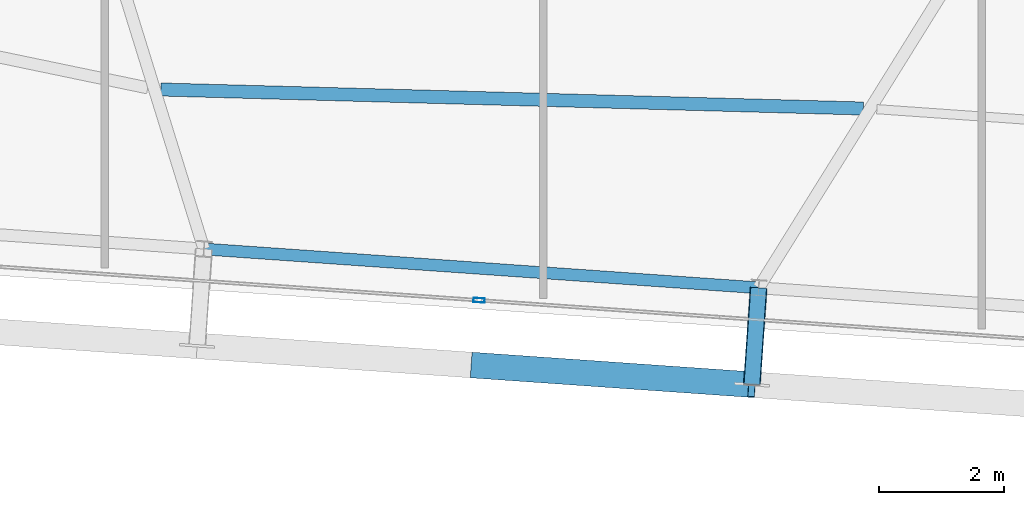
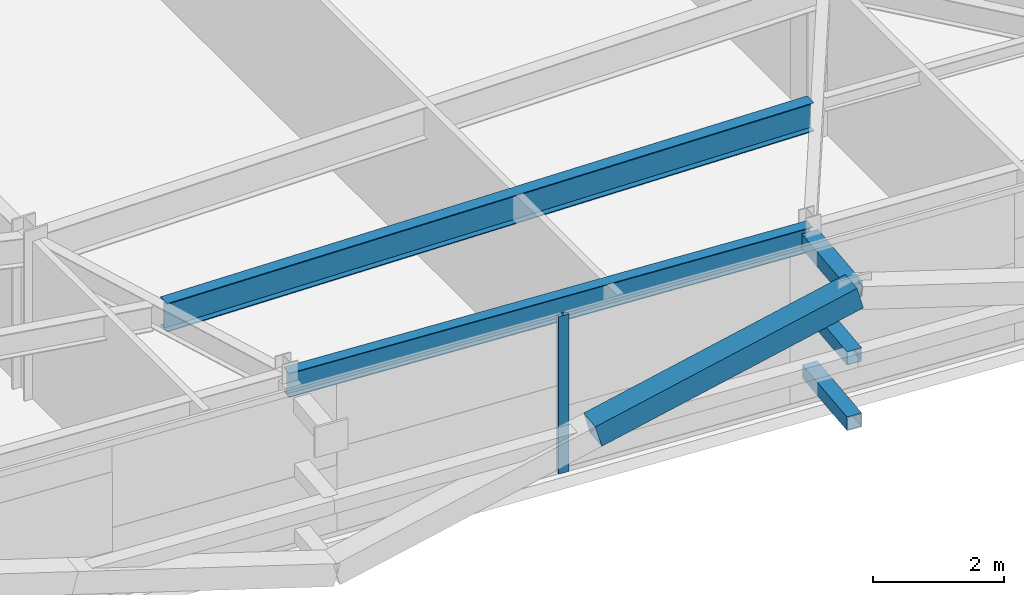
# One storey, part 9 of 39: 5 members, 2 beams, 1 element without a shape of its own.
"""IFC4 building model written with IfcOpenShell, lengths in metres."""

import ifcopenshell
import ifcopenshell.guid

model = None  # the IFC model being written
_history = None  # IfcOwnerHistory: only IFC2X3 demands one
_inside = {}  # id of a spatial element -> (the spatial element, [elements in it])
_under = {}  # id of a project, library or spatial element -> (it, [spatial elements below it])
_declared = {}  # id of a project -> (the project, [libraries it declares])
_typed = {}  # id of a type object -> (the type object, [elements of that type])
_made_of = {}  # id of a material, layer set ... -> (it, [elements and type objects made of it])


def new_model(schema):
    """Start an empty IFC model of exactly this schema.

    Asked for "IFC4X3", IfcOpenShell would pick the latest addendum, in which some entities
    have other attributes; the version numbers below select the first issue.
    IFC2X3 requires an IfcOwnerHistory on every rooted entity: one is made here for all.
    """
    global model, _history
    if schema == "IFC4X3":
        model = ifcopenshell.file(schema_version=(4, 3, 0, 0))
    else:
        model = ifcopenshell.file(schema=schema)
    _inside.clear()
    _under.clear()
    _declared.clear()
    _typed.clear()
    _made_of.clear()
    _history = None
    if model.schema == "IFC2X3":
        org = make("IfcOrganization", Name="unknown")
        user = make(
            "IfcPersonAndOrganization",
            ThePerson=make("IfcPerson", FamilyName="unknown"),
            TheOrganization=org,
        )
        app = make(
            "IfcApplication",
            ApplicationDeveloper=org,
            Version="unknown",
            ApplicationFullName="unknown",
            ApplicationIdentifier="unknown",
        )
        _history = make(
            "IfcOwnerHistory",
            OwningUser=user,
            OwningApplication=app,
            ChangeAction="ADDED",
            CreationDate=0,
        )
    return model


def make(cls, **values):
    """One entity of the class cls with the attributes given. An attribute that is None is left unset."""
    return model.create_entity(
        cls, **{name: value for name, value in values.items() if value is not None}
    )


def rooted(cls, **values):
    """An entity with a GlobalId (a new one), such as an element, a storey or a relation."""
    return make(cls, GlobalId=ifcopenshell.guid.new(), OwnerHistory=_history, **values)


def si_unit(unit_type, name, prefix=None):
    """IfcSIUnit, for example si_unit("LENGTHUNIT", "METRE", prefix="MILLI")."""
    return make("IfcSIUnit", UnitType=unit_type, Prefix=prefix, Name=name)


def assignment(units):
    """IfcUnitAssignment: the units of a project."""
    return None if units is None else make("IfcUnitAssignment", Units=units)


def point(xyz):
    """IfcCartesianPoint."""
    return None if xyz is None else make("IfcCartesianPoint", Coordinates=xyz)


def direction(xyz):
    """IfcDirection."""
    return None if xyz is None else make("IfcDirection", DirectionRatios=xyz)


def frame(location, z_axis=None, x_axis=None):
    """IfcAxis2Placement3D, a coordinate frame: its origin and axes. An axis left out is left unset."""
    return make(
        "IfcAxis2Placement3D",
        Location=point(location),
        Axis=direction(z_axis),
        RefDirection=direction(x_axis),
    )


def frame_2d(location, x_axis=None):
    """IfcAxis2Placement2D, a coordinate frame in the plane: its origin and x axis."""
    return make(
        "IfcAxis2Placement2D", Location=point(location), RefDirection=direction(x_axis)
    )


def origin():
    """The frame at (0, 0, 0) with its axes left unset."""
    return frame((0.0, 0.0, 0.0))


def origin_2d():
    """The frame at (0, 0) in the plane with its x axis left unset."""
    return frame_2d((0.0, 0.0))


def place(relative_to, where):
    """IfcLocalPlacement: puts the frame where relative to a parent placement (None: the world)."""
    return make(
        "IfcLocalPlacement", PlacementRelTo=relative_to, RelativePlacement=where
    )


def context(
    kind, dimensions, precision=None, world=None, true_north=None, identifier=None
):
    """IfcGeometricRepresentationContext, for example the 3D "Model" context."""
    return make(
        "IfcGeometricRepresentationContext",
        ContextIdentifier=identifier,
        ContextType=kind,
        CoordinateSpaceDimension=dimensions,
        Precision=precision,
        WorldCoordinateSystem=world,
        TrueNorth=true_north,
    )


def subcontext(parent, identifier, kind, view, scale=None):
    """IfcGeometricRepresentationSubContext, for example "Body" below "Model"."""
    return make(
        "IfcGeometricRepresentationSubContext",
        ContextIdentifier=identifier,
        ContextType=kind,
        ParentContext=parent,
        TargetScale=scale,
        TargetView=view,
    )


def project(units=None, contexts=None):
    """IfcProject with its units and contexts."""
    return rooted(
        "IfcProject",
        Name="project",
        RepresentationContexts=contexts,
        UnitsInContext=assignment(units),
    )


def spatial(cls, under=None, at=None, **own):
    """A site, building, storey or space (cls), placed at a placement, below another one or the project."""
    s = rooted(cls, ObjectPlacement=at, **own)
    if under is not None:
        _under.setdefault(under.id(), (under, []))[1].append(s)
    return s


def profile(cls, at=None, kind="AREA", **sizes):
    """A parametric profile (cls). Its sizes go by their IFC names, for example OverallWidth=200.0."""
    return make(cls, ProfileType=kind, Position=at, **sizes)


def hollow_rectangle(**sizes):
    """IfcRectangleHollowProfileDef."""
    return profile("IfcRectangleHollowProfileDef", **sizes)


def i_section(**sizes):
    """IfcIShapeProfileDef."""
    return profile("IfcIShapeProfileDef", **sizes)


def extrude(swept, where, along, depth):
    """IfcExtrudedAreaSolid: the profile swept, set in the frame where, extruded along a direction by depth."""
    return make(
        "IfcExtrudedAreaSolid",
        SweptArea=swept,
        Position=where,
        ExtrudedDirection=direction(along),
        Depth=depth,
    )


def shape(context_of_items, identifier, shape_type, items):
    """IfcShapeRepresentation: the items that make up one representation, for example the "Body"."""
    return make(
        "IfcShapeRepresentation",
        ContextOfItems=context_of_items,
        RepresentationIdentifier=identifier,
        RepresentationType=shape_type,
        Items=items,
    )


def source(mapping_origin, context_of_items, identifier, shape_type, items):
    """IfcRepresentationMap: a shape defined once, which mapped items show again and again."""
    return make(
        "IfcRepresentationMap",
        MappingOrigin=mapping_origin,
        MappedRepresentation=shape(context_of_items, identifier, shape_type, items),
    )


def transform(
    local_origin,
    x_axis=None,
    y_axis=None,
    z_axis=None,
    scale=None,
    scale2=None,
    scale3=None,
    uniform=True,
):
    """IfcCartesianTransformationOperator3D, or its non-uniform kind. x_axis, y_axis, z_axis: its Axis1, 2, 3."""
    if uniform:
        return make(
            "IfcCartesianTransformationOperator3D",
            Axis1=direction(x_axis),
            Axis2=direction(y_axis),
            LocalOrigin=point(local_origin),
            Scale=scale,
            Axis3=direction(z_axis),
        )
    return make(
        "IfcCartesianTransformationOperator3DnonUniform",
        Axis1=direction(x_axis),
        Axis2=direction(y_axis),
        LocalOrigin=point(local_origin),
        Scale=scale,
        Axis3=direction(z_axis),
        Scale2=scale2,
        Scale3=scale3,
    )


def mapped(mapping_source, mapping_target):
    """IfcMappedItem: shows the shape of a source again, moved by a transform."""
    return make(
        "IfcMappedItem", MappingSource=mapping_source, MappingTarget=mapping_target
    )


def material(Name=None, Category=None):
    """IfcMaterial."""
    return make("IfcMaterial", Name=Name, Category=Category)


def layer(
    of_material, thickness, ventilated=None, Name=None, Category=None, Priority=None
):
    """IfcMaterialLayer: one layer of a wall or slab, of a material (None: an air gap)."""
    return make(
        "IfcMaterialLayer",
        Material=of_material,
        LayerThickness=thickness,
        IsVentilated=ventilated,
        Name=Name,
        Category=Category,
        Priority=Priority,
    )


def layer_set(layers, Name=None):
    """IfcMaterialLayerSet."""
    return make("IfcMaterialLayerSet", MaterialLayers=layers, LayerSetName=Name)


def material_profile(
    of_material, cross_section, Name=None, Category=None, Priority=None
):
    """IfcMaterialProfile: a cross section and its material."""
    return make(
        "IfcMaterialProfile",
        Name=Name,
        Material=of_material,
        Profile=cross_section,
        Priority=Priority,
        Category=Category,
    )


def profile_set(profiles, Name=None, composite=None):
    """IfcMaterialProfileSet."""
    return make(
        "IfcMaterialProfileSet",
        Name=Name,
        MaterialProfiles=profiles,
        CompositeProfile=composite,
    )


def made_of(thing, what):
    """Note that an element or type object is made of a material, layer set ...; save() writes the relation."""
    if what is not None:
        _made_of.setdefault(what.id(), (what, []))[1].append(thing)
    return thing


def type_object(cls, material=None, **own):
    """A type object (cls), such as IfcWallType, which elements share."""
    return made_of(rooted(cls, **own), material)


def element(
    cls,
    number,
    at=None,
    inside=None,
    cuts=None,
    type_object=None,
    material=None,
    context=None,
    identifier="Body",
    shape_type=None,
    held_by="IfcProductDefinitionShape",
    body=None,
    shapes=None,
    **own,
):
    """One element of the class cls, such as IfcWall. Its Tag is "e" and its number.

    at: its placement. inside: the storey or other place that contains it. cuts: it is an
    opening in that element (IfcRelVoidsElement). A single representation is given by context,
    identifier, shape_type and body (its items); several are given by shapes. held_by: the class
    of the entity that holds the representations. save() writes the other relations.
    """
    e = rooted(cls, Tag="e%d" % number, ObjectPlacement=at, **own)
    if body is not None:
        shapes = [shape(context, identifier, shape_type, body)]
    if shapes is not None:
        e.Representation = make(held_by, Representations=shapes)
    if inside is not None:
        _inside.setdefault(inside.id(), (inside, []))[1].append(e)
    if cuts is not None:
        rooted(
            "IfcRelVoidsElement", RelatingBuildingElement=cuts, RelatedOpeningElement=e
        )
    if type_object is not None:
        _typed.setdefault(type_object.id(), (type_object, []))[1].append(e)
    return made_of(e, material)


def aggregate(whole, parts):
    """IfcRelAggregates: a whole, such as a stair, and the parts it consists of."""
    return rooted("IfcRelAggregates", RelatingObject=whole, RelatedObjects=parts)


def save(model, path):
    """Write the relations noted so far, then the file.

    IfcRelAggregates (storeys below a building ...), IfcRelContainedInSpatialStructure (elements
    in a storey), IfcRelDefinesByType, IfcRelAssociatesMaterial and IfcRelDeclares: one each for
    every whole, place, type object, material and project.
    """
    for whole, parts in _under.values():
        aggregate(whole, parts)
    for where, things in _inside.values():
        rooted(
            "IfcRelContainedInSpatialStructure",
            RelatedElements=things,
            RelatingStructure=where,
        )
    for kind, things in _typed.values():
        rooted("IfcRelDefinesByType", RelatedObjects=things, RelatingType=kind)
    for what, things in _made_of.values():
        rooted("IfcRelAssociatesMaterial", RelatedObjects=things, RelatingMaterial=what)
    for by, libraries in _declared.values():
        rooted("IfcRelDeclares", RelatingContext=by, RelatedDefinitions=libraries)
    model.write(path)


model = new_model("IFC4")

# Units and contexts
model_context = context("Model", 3, precision=1e-05, world=origin(), true_north=direction((0.0, 1.0)))
body_context = subcontext(model_context, "Body", "Model", "MODEL_VIEW")
ifc_project = project(units=[si_unit("LENGTHUNIT", "METRE"), si_unit("AREAUNIT", "SQUARE_METRE"), si_unit("VOLUMEUNIT", "CUBIC_METRE"), si_unit("PLANEANGLEUNIT", "RADIAN"), si_unit("MASSUNIT", "GRAM", prefix="KILO")], contexts=[model_context])

# Site, building, storey
site_placement = place(None, origin())
site = spatial("IfcSite", under=ifc_project, at=site_placement, CompositionType="ELEMENT")
building_placement = place(site_placement, origin())
building = spatial("IfcBuilding", under=site, at=building_placement, Name="Taldren Reach Tower", CompositionType="ELEMENT")
storey_placement = place(building_placement, frame((0.0, 0.0, 151.89990234375)))
storey = spatial("IfcBuildingStorey", under=building, at=storey_placement, Name="L46", CompositionType="ELEMENT", Elevation=151.89990234375)

# Members
ifc_material_1 = material(Name="Steel Gr 450 (C450L0)", Category="steel")
ifc_material_profile_1 = material_profile(ifc_material_1, hollow_rectangle(XDim=0.27490234375, YDim=0.27490234375, WallThickness=0.00927734375, at=origin_2d()), Name="275x275x9.3SHS")
ifc_profile_set_1 = profile_set([ifc_material_profile_1], Name="Steel Gr 450 (C450L0)")
member_type_1 = type_object("IfcMemberType", Name="MB-TIE273", PredefinedType="STRUT", material=ifc_profile_set_1)
shared_shape_1 = source(origin(), body_context, "Body", "SweptSolid", [
    extrude(hollow_rectangle(XDim=0.27490234375, YDim=0.27490234375, WallThickness=0.00927734375, at=origin_2d()), origin(), (0.0, 0.0, 1.0), 1.550048828125),
])
member_1_placement = place(storey_placement, frame((38.438720703125, 3.480224609375, 2.650146484375), z_axis=(-0.06976957191, -0.99756313426, 0.0), x_axis=(0.99756313426, -0.06976957191, 0.0)))
element("IfcMember", 1, at=member_1_placement, inside=storey, type_object=member_type_1, Name="Exoskeleton diaphragm tie strut B3-S4 L46", PredefinedType="STRUT", context=body_context, shape_type="MappedRepresentation", body=[
    mapped(shared_shape_1, transform((0.0, 0.0, 0.0), scale=1.0)),
])
ifc_material_2 = material(Name="Steel Gr 350 (C350L0)", Category="steel")
ifc_material_profile_2 = material_profile(ifc_material_2, hollow_rectangle(XDim=0.25, YDim=0.25, WallThickness=0.010009765625, at=origin_2d()), Name="250x250x10.0SHS")
ifc_profile_set_2 = profile_set([ifc_material_profile_2], Name="Steel Gr 350 (C350L0)")
member_type_2 = type_object("IfcMemberType", Name="MB-POST250", PredefinedType="POST", material=ifc_profile_set_2)
shared_shape_2 = source(origin(), body_context, "Body", "SweptSolid", [
    extrude(hollow_rectangle(XDim=0.25, YDim=0.25, WallThickness=0.010009765625, at=origin_2d()), origin(), (0.0, 0.0, 1.0), 1.550048828125),
])
for number, where, z_axis, x_axis, name in (
    (2, (38.438720703125, 3.480224609375, 0.22021484375), (-0.06976957191, -0.99756313426, 0.0), (0.99756313426, -0.06976957191, 0.0), "Exoskeleton base diaphragm tie strut B3-S4 L46"),
    (3, (38.438720703125, 3.480224609375, 1.43505859375), (-0.06976957191, -0.99756313426, 0.0), (0.99756313426, -0.06976957191, 0.0), "Exoskeleton mid-tier diaphragm tie B3-S4 L46"),
):
    element("IfcMember", number, at=place(storey_placement, frame(where, z_axis=z_axis, x_axis=x_axis)), inside=storey, type_object=member_type_2, Name=name, PredefinedType="POST", context=body_context, shape_type="MappedRepresentation", body=[
        mapped(shared_shape_2, transform((0.0, 0.0, 0.0), scale=1.0)),
    ])

# Beams
ifc_material_3 = material(Name="Steel Gr 350 (350PLUS)", Category="steel")
ifc_material_profile_3 = material_profile(ifc_material_3, i_section(OverallWidth=0.18994140625, OverallDepth=0.4541015625, WebThickness=0.008544921875, FlangeThickness=0.0126953125, at=origin_2d()), Name="460UB67.1")
ifc_profile_set_3 = profile_set([ifc_material_profile_3], Name="Steel Gr 350 (350PLUS)")
beam_type_1 = type_object("IfcBeamType", Name="SP-UB460B", PredefinedType="SPANDREL", material=ifc_profile_set_3)
shared_shape_3 = source(origin(), body_context, "Body", "SweptSolid", [
    extrude(i_section(OverallWidth=0.18994140625, OverallDepth=0.4541015625, WebThickness=0.008544921875, FlangeThickness=0.0126953125, at=origin_2d()), origin(), (0.0, 0.0, 1.0), 8.880126953125),
])
beam_1_placement = place(storey_placement, frame((29.580322265625, 4.099609375, 2.703125), z_axis=(0.997564479639, -0.069750333063, 0.0), x_axis=(0.069750333063, 0.997564479639, 0.0)))
element("IfcBeam", 4, at=beam_1_placement, inside=storey, type_object=beam_type_1, Name="Perimeter spandrel B3 S3-S4 L46", PredefinedType="SPANDREL", context=body_context, shape_type="MappedRepresentation", body=[
    mapped(shared_shape_3, transform((0.0, 0.0, 0.0), scale=1.0)),
])
ifc_material_profile_4 = material_profile(ifc_material_3, i_section(OverallWidth=0.208984375, OverallDepth=0.532958984375, WebThickness=0.01025390625, FlangeThickness=0.015625, at=origin_2d()), Name="530UB92.4")
ifc_profile_set_4 = profile_set([ifc_material_profile_4], Name="Steel Gr 350 (350PLUS)")
beam_type_2 = type_object("IfcBeamType", Name="BM-UB530A", PredefinedType="BEAM", material=ifc_profile_set_4)
shared_shape_4 = source(origin(), body_context, "Body", "SweptSolid", [
    extrude(i_section(OverallWidth=0.208984375, OverallDepth=0.532958984375, WebThickness=0.01025390625, FlangeThickness=0.015625, at=origin_2d()), origin(), (0.0, 0.0, 1.0), 11.221923828125),
])
beam_2_placement = place(storey_placement, frame((28.890869140625, 6.64697265625, 2.66357421875), z_axis=(0.999633109536, -0.027085906272, 0.0), x_axis=(0.027085906272, 0.999633109536, 0.0)))
element("IfcBeam", 5, at=beam_2_placement, inside=storey, type_object=beam_type_2, Name="Secondary floor beam B3 J3 L46", PredefinedType="BEAM", context=body_context, shape_type="MappedRepresentation", body=[
    mapped(shared_shape_4, transform((0.0, 0.0, 0.0), scale=1.0)),
])

# Member
ifc_material_profile_5 = material_profile(ifc_material_1, hollow_rectangle(XDim=0.409912109375, YDim=0.409912109375, WallThickness=0.01611328125, at=origin_2d()), Name="410x410x16.0SHS")
ifc_profile_set_5 = profile_set([ifc_material_profile_5], Name="Steel Gr 450 (C450L0)")
member_type_3 = type_object("IfcMemberType", Name="MB-EXO406", PredefinedType="BRACE", material=ifc_profile_set_5)
shared_shape_5 = source(origin(), body_context, "Body", "SweptSolid", [
    extrude(hollow_rectangle(XDim=0.409912109375, YDim=0.409912109375, WallThickness=0.01611328125, at=origin_2d()), origin(), (0.0, 0.0, 1.0), 4.603271484375),
])
member_2_placement = place(storey_placement, frame((33.9013671875, 2.24365234375, 1.43505859375), z_axis=(0.962182351074, -0.067302910567, 0.263961060594), x_axis=(0.06977769246, 0.997562566276, 0.0)))
element("IfcMember", 6, at=member_2_placement, inside=storey, type_object=member_type_3, Name="Exoskeleton Diagrid Brace B3-S3 L46", PredefinedType="BRACE", context=body_context, shape_type="MappedRepresentation", body=[
    mapped(shared_shape_5, transform((0.0, 0.0, 0.0), scale=1.0)),
])

# Curtain wall, member
ifc_material_4 = material(Name="Aluminium and Low-E Glass Unitised System", Category="aluminium")
ifc_layer = layer(ifc_material_4, 0.159912109375)
ifc_layer_set = layer_set([ifc_layer], Name="Aluminium and Low-E Glass Unitised System")
curtain_wall_type = type_object("IfcCurtainWallType", Name="CW-SYS-4", PredefinedType="NOTDEFINED", material=ifc_layer_set)
curtain_wall_placement = place(storey_placement, origin())
curtain_wall = element("IfcCurtainWall", 7, at=curtain_wall_placement, inside=storey, type_object=curtain_wall_type, Name="Unitised curtain wall CW-L46-S", PredefinedType="NOTDEFINED")
ifc_material_5 = material(Name="Anodised Aluminium 6063-T6", Category="aluminium")
ifc_material_profile_6 = material_profile(ifc_material_5, hollow_rectangle(XDim=0.070068359375, YDim=0.179931640625, WallThickness=0.00390625, at=origin_2d()), Name="ALU-180x70x4RHS")
ifc_profile_set_6 = profile_set([ifc_material_profile_6], Name="Anodised Aluminium 6063-T6")
member_type_4 = type_object("IfcMemberType", Name="CW-MUL-180", PredefinedType="MULLION", material=ifc_profile_set_6)
shared_shape_6 = source(origin(), body_context, "Body", "SweptSolid", [
    extrude(hollow_rectangle(XDim=0.070068359375, YDim=0.179931640625, WallThickness=0.00390625, at=origin_2d()), origin(), (0.0, 0.0, 1.0), 2.93017578125),
])
member_3_placement = place(storey_placement, frame((33.973876953125, 3.281005859375, 0.0), z_axis=(0.0, 0.0, 1.0), x_axis=(0.06975651593, 0.99756404731, 0.0)))
member_3 = element("IfcMember", 8, at=member_3_placement, type_object=member_type_4, Name="CW-4 mullion 3", PredefinedType="MULLION", context=body_context, shape_type="MappedRepresentation", body=[
    mapped(shared_shape_6, transform((0.0, 0.0, 0.0), scale=1.0)),
])
aggregate(curtain_wall, [member_3])

save(model, "model.ifc")
